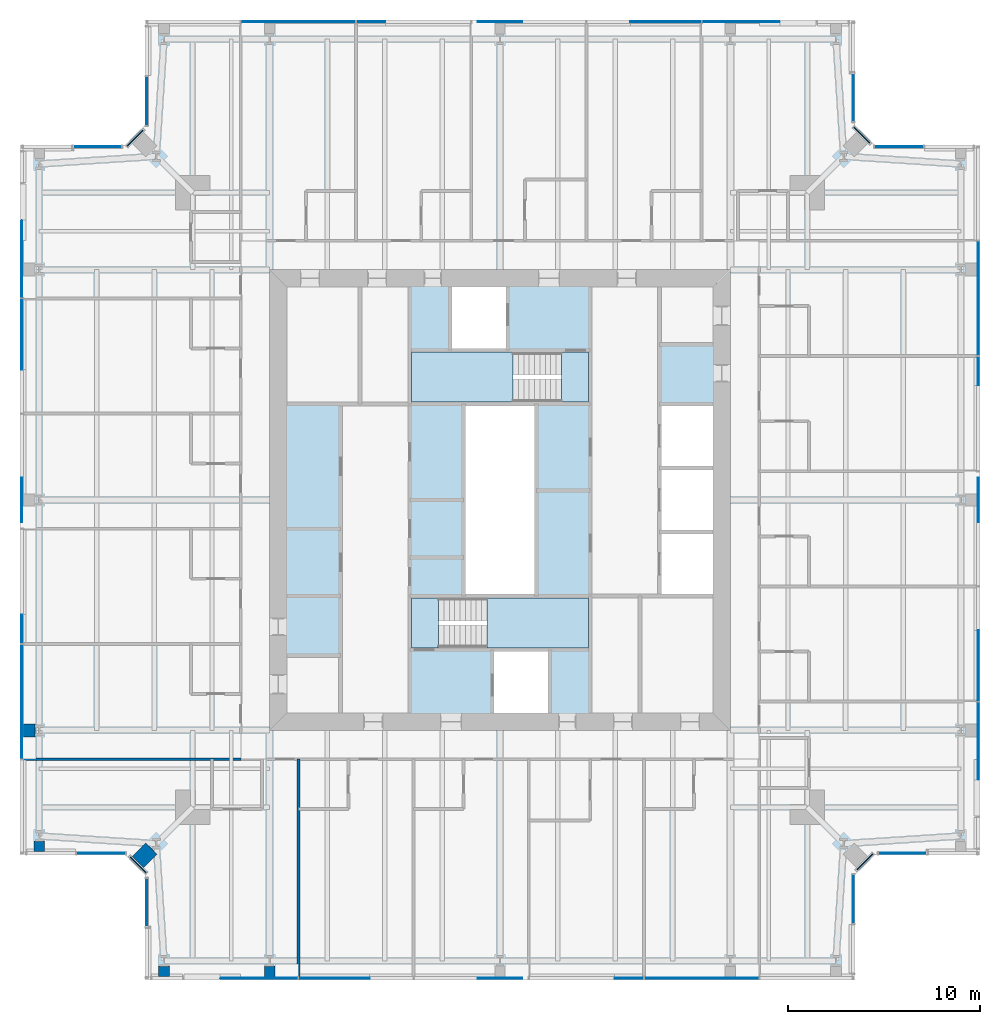
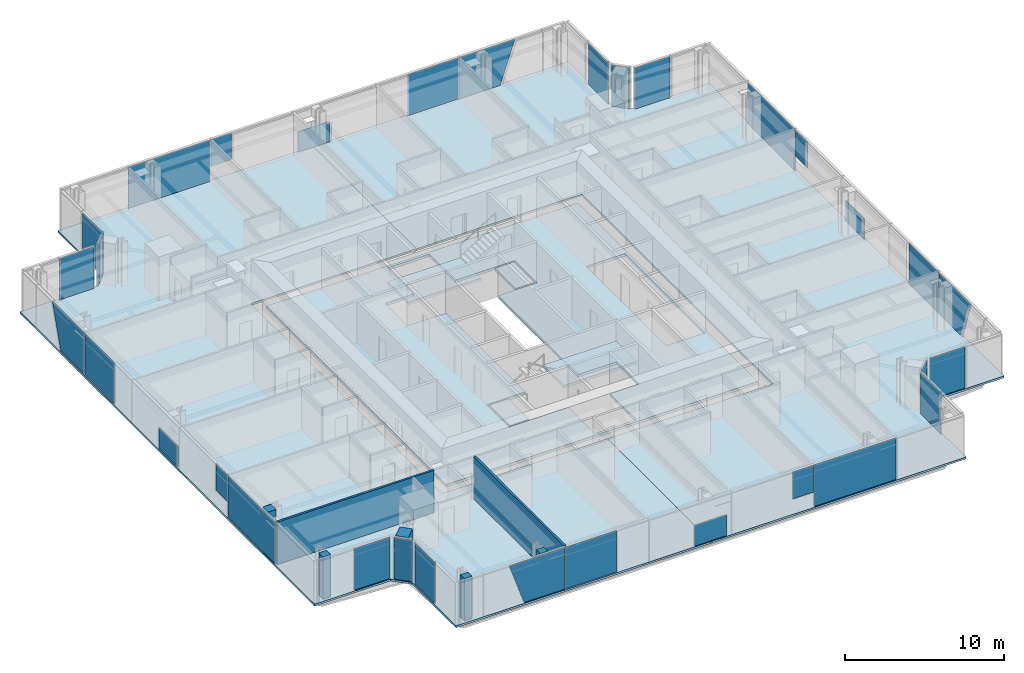
# One storey, part 10 of 20: 32 plates, 7 slabs, 7 walls, 18 elements without a shape of their own.
"""IFC4 building model written with IfcOpenShell, lengths in metres."""

from ifc_helpers import new_model, si_unit, direction, frame, frame_2d, origin, origin_2d, place, context, subcontext, project, spatial, polyline, rectangle, outline, extrude, material, layer, layer_set, type_object, element, aggregate, save


model = new_model("IFC4")

# Units and contexts
model_context = context("Model", 3, precision=1e-05, world=origin(), true_north=direction((0.0, 1.0)))
body_context = subcontext(model_context, "Body", "Model", "MODEL_VIEW")
ifc_project = project(units=[si_unit("LENGTHUNIT", "METRE"), si_unit("AREAUNIT", "SQUARE_METRE"), si_unit("VOLUMEUNIT", "CUBIC_METRE"), si_unit("PLANEANGLEUNIT", "RADIAN"), si_unit("MASSUNIT", "GRAM", prefix="KILO")], contexts=[model_context])

# Site, building, storey
site_placement = place(None, origin())
site = spatial("IfcSite", under=ifc_project, at=site_placement, CompositionType="ELEMENT")
building_placement = place(site_placement, origin())
building = spatial("IfcBuilding", under=site, at=building_placement, Name="Fenwick Lantern Interchange", CompositionType="ELEMENT")
storey_placement = place(building_placement, frame((0.0, 0.0, 249.199951171875)))
storey = spatial("IfcBuildingStorey", under=building, at=storey_placement, Name="L58", CompositionType="ELEMENT", Elevation=249.199951171875)

# Slabs
ifc_material_1 = material(Name="Concrete f'c 35 MPa", Category="concrete")
ifc_layer_1 = layer(ifc_material_1, 0.199951171875)
ifc_layer_set_1 = layer_set([ifc_layer_1], Name="CORE FLOOR SLAB 200")
slab_type_1 = type_object("IfcSlabType", Name="CORE FLOOR SLAB 200", PredefinedType="FLOOR", material=ifc_layer_set_1)
slab_1_placement = place(storey_placement, frame((0.0, 0.0, -0.199951171875)))
element("IfcSlab", 1, at=slab_1_placement, inside=storey, type_object=slab_type_1, Name="L58/SLAB/CORE", PredefinedType="FLOOR", context=body_context, shape_type="SweptSolid", body=[
    extrude(outline(polyline([(13.699951171875, 36.300048828125), (36.300048828125, 36.300048828125), (36.300048828125, 13.699951171875), (13.699951171875, 13.699951171875), (13.699951171875, 36.300048828125)]), holes=[polyline([(24.60009765625, 13.89990234375), (27.60009765625, 13.89990234375), (27.60009765625, 17.199951171875), (29.699951171875, 17.199951171875), (29.699951171875, 20.0), (26.89990234375, 20.0), (26.89990234375, 30.0), (29.699951171875, 30.0), (29.699951171875, 32.800048828125), (25.39990234375, 32.800048828125), (25.39990234375, 36.10009765625), (22.39990234375, 36.10009765625), (22.39990234375, 32.800048828125), (20.300048828125, 32.800048828125), (20.300048828125, 30.0), (23.10009765625, 30.0), (23.10009765625, 20.0), (20.300048828125, 20.0), (20.300048828125, 17.199951171875), (24.60009765625, 17.199951171875), (24.60009765625, 13.89990234375)]), polyline([(33.300048828125, 20.0), (36.10009765625, 20.0), (36.10009765625, 23.333251953125), (36.10009765625, 26.666748046875), (36.10009765625, 30.0), (33.300048828125, 30.0), (33.300048828125, 26.666748046875), (33.300048828125, 23.333251953125), (33.300048828125, 20.0)])]), origin(), (0.0, 0.0, 1.0), 0.199951171875),
])
ifc_material_2 = material(Name="Concrete f'c 35 MPa", Category="concrete")
ifc_layer_2 = layer(ifc_material_2, 0.14990234375)
ifc_layer_set_2 = layer_set([ifc_layer_2], Name="Concrete f'c 35 MPa")
slab_type_2 = type_object("IfcSlabType", Name="FLOOR SLAB 150", PredefinedType="FLOOR", material=ifc_layer_set_2)
slab_2_placement = place(storey_placement, frame((0.0, 0.0, -0.14990234375)))
element("IfcSlab", 2, at=slab_2_placement, inside=storey, type_object=slab_type_2, Name="L58/SLAB/FW", PredefinedType="FLOOR", context=body_context, shape_type="SweptSolid", body=[
    extrude(outline(polyline([(6.5, 0.0), (6.5, 5.5), (5.5, 6.5), (0.0, 6.5), (0.0, 43.5), (5.5, 43.5), (6.5, 44.5), (6.5, 50.0), (25.0, 50.0), (25.0, 37.0), (13.0, 37.0), (13.0, 13.0), (25.0, 13.0), (25.0, 0.0), (6.5, 0.0)])), origin(), (0.0, 0.0, 1.0), 0.14990234375),
])
slab_3_placement = place(storey_placement, frame((0.0, 0.0, -0.14990234375)))
element("IfcSlab", 3, at=slab_3_placement, inside=storey, type_object=slab_type_2, Name="L58/SLAB/FE", PredefinedType="FLOOR", context=body_context, shape_type="SweptSolid", body=[
    extrude(outline(polyline([(43.5, 50.0), (43.5, 44.5), (44.5, 43.5), (50.0, 43.5), (50.0, 6.5), (44.5, 6.5), (43.5, 5.5), (43.5, 0.0), (25.0, 0.0), (25.0, 13.0), (37.0, 13.0), (37.0, 37.0), (25.0, 37.0), (25.0, 50.0), (43.5, 50.0)])), origin(), (0.0, 0.0, 1.0), 0.14990234375),
])

# Curtain wall, plates
ifc_material_3 = material(Name="Aluminium curtain wall frame", Category="aluminium")
curtain_wall_type = type_object("IfcCurtainWallType", Name="HOTEL CURTAIN WALL", PredefinedType="USERDEFINED", material=ifc_material_3)
curtain_wall_1_placement = place(storey_placement, origin())
curtain_wall_1 = element("IfcCurtainWall", 4, at=curtain_wall_1_placement, inside=storey, type_object=curtain_wall_type, Name="Hotel curtain wall 01", ObjectType="HOTEL CURTAIN WALL", PredefinedType="USERDEFINED")
ifc_material_4 = material(Name="Vision glass, acoustic laminated double glazed unit", Category="glass")
ifc_layer_3 = layer(ifc_material_4, 0.052001953125)
ifc_layer_set_3 = layer_set([ifc_layer_3], Name="HOTEL CURTAIN WALL PANEL 52")
plate_type = type_object("IfcPlateType", Name="HOTEL CURTAIN WALL PANEL 52", PredefinedType="CURTAIN_PANEL", material=ifc_layer_set_3)
plate_1_placement = place(storey_placement, frame((6.60009765625, 0.10009765625, 0.0), z_axis=(0.0, 0.0, 1.0), x_axis=(1.0, 0.0, 0.0)))
plate_1 = element("IfcPlate", 5, at=plate_1_placement, type_object=plate_type, Name="L58/CW/01/P01a", PredefinedType="CURTAIN_PANEL", context=body_context, shape_type="SweptSolid", body=[
    extrude(outline(polyline([(4.890869140625, 0.0), (7.8701171875, 0.0), (7.8701171875, 3.150146484375), (3.827392578125, 3.150146484375), (4.890869140625, 0.0)])), frame((0.0, 0.02587890625, 0.0), z_axis=(0.0, -1.0, 0.0), x_axis=(1.0, 0.0, 0.0)), (0.0, 0.0, 1.0), 0.052001953125),
])
plate_2_placement = place(storey_placement, frame((6.60009765625, 0.10009765625, 0.00439453125), z_axis=(0.0, 0.0, 1.0), x_axis=(1.0, 0.0, 0.0)))
plate_2 = element("IfcPlate", 6, at=plate_2_placement, type_object=plate_type, Name="L58/CW/01/P02a", PredefinedType="CURTAIN_PANEL", context=body_context, shape_type="SweptSolid", body=[
    extrude(outline(polyline([(7.929931640625, 0.0), (11.60498046875, 0.0), (11.60498046875, 3.145751953125), (7.929931640625, 3.145751953125), (7.929931640625, 0.0)])), frame((0.0, 0.02587890625, 0.0), z_axis=(0.0, -1.0, 0.0), x_axis=(1.0, 0.0, 0.0)), (0.0, 0.0, 1.0), 0.052001953125),
])
plate_3_placement = place(storey_placement, frame((6.60009765625, 0.10009765625, 0.0), z_axis=(0.0, 0.0, 1.0), x_axis=(1.0, 0.0, 0.0)))
plate_3 = element("IfcPlate", 7, at=plate_3_placement, type_object=plate_type, Name="L58/CW/01/P03a", PredefinedType="CURTAIN_PANEL", context=body_context, shape_type="SweptSolid", body=[
    extrude(outline(polyline([(17.238037109375, 0.0), (19.56298828125, 0.0), (19.56298828125, 1.580078125), (17.238037109375, 1.580078125), (17.238037109375, 0.0)])), frame((0.0, 0.02587890625, 0.0), z_axis=(0.0, -1.0, 0.0), x_axis=(1.0, 0.0, 0.0)), (0.0, 0.0, 1.0), 0.052001953125),
])
plate_4_placement = place(storey_placement, frame((6.60009765625, 0.10009765625, 1.120361328125), z_axis=(0.0, 0.0, 1.0), x_axis=(1.0, 0.0, 0.0)))
plate_4 = element("IfcPlate", 8, at=plate_4_placement, type_object=plate_type, Name="L58/CW/01/P04a", PredefinedType="CURTAIN_PANEL", context=body_context, shape_type="SweptSolid", body=[
    extrude(outline(polyline([(24.372802734375, 0.0), (25.8701171875, 0.0), (25.8701171875, 2.02978515625), (24.372802734375, 2.02978515625), (24.372802734375, 0.0)])), frame((0.0, 0.02587890625, 0.0), z_axis=(0.0, -1.0, 0.0), x_axis=(1.0, 0.0, 0.0)), (0.0, 0.0, 1.0), 0.052001953125),
])
plate_5_placement = place(storey_placement, frame((35.5, 0.10009765625, 0.0), z_axis=(0.0, 0.0, 1.0), x_axis=(1.0, 0.0, 0.0)))
plate_5 = element("IfcPlate", 9, at=plate_5_placement, type_object=plate_type, Name="L58/CW/01/P05", PredefinedType="CURTAIN_PANEL", context=body_context, shape_type="SweptSolid", body=[
    extrude(rectangle(XDim=5.93994140625, YDim=0.052001953125, at=origin_2d()), origin(), (0.0, 0.0, 1.0), 3.14990234375),
])
aggregate(curtain_wall_1, [plate_1, plate_2, plate_3, plate_4, plate_5])

# Curtain wall, plate
curtain_wall_2_placement = place(storey_placement, origin())
curtain_wall_2 = element("IfcCurtainWall", 10, at=curtain_wall_2_placement, inside=storey, type_object=curtain_wall_type, Name="Hotel curtain wall 02", ObjectType="HOTEL CURTAIN WALL", PredefinedType="USERDEFINED")
plate_6_placement = place(storey_placement, frame((43.39990234375, 4.216064453125, 0.0), z_axis=(0.0, 0.0, 1.0), x_axis=(0.0, 1.0, 0.0)))
plate_6 = element("IfcPlate", 11, at=plate_6_placement, type_object=plate_type, Name="L58/CW/02/P01", PredefinedType="CURTAIN_PANEL", context=body_context, shape_type="SweptSolid", body=[
    extrude(rectangle(XDim=2.53076171875, YDim=0.052001953125, at=origin_2d()), origin(), (0.0, 0.0, 1.0), 3.14990234375),
])
aggregate(curtain_wall_2, [plate_6])

curtain_wall_3_placement = place(storey_placement, origin())
curtain_wall_3 = element("IfcCurtainWall", 12, at=curtain_wall_3_placement, inside=storey, type_object=curtain_wall_type, Name="Hotel curtain wall 03", ObjectType="HOTEL CURTAIN WALL", PredefinedType="USERDEFINED")
plate_7_placement = place(storey_placement, frame((44.0, 6.141357421875, 0.0), z_axis=(0.0, 0.0, 1.0), x_axis=(0.707106781187, 0.707106781187, 0.0)))
plate_7 = element("IfcPlate", 13, at=plate_7_placement, type_object=plate_type, Name="L58/CW/03/P00", PredefinedType="CURTAIN_PANEL", context=body_context, shape_type="SweptSolid", body=[
    extrude(rectangle(XDim=1.177001953125, YDim=0.052001953125, at=origin_2d()), origin(), (0.0, 0.0, 1.0), 3.14990234375),
])
aggregate(curtain_wall_3, [plate_7])

curtain_wall_4_placement = place(storey_placement, origin())
curtain_wall_4 = element("IfcCurtainWall", 14, at=curtain_wall_4_placement, inside=storey, type_object=curtain_wall_type, Name="Hotel curtain wall 04", ObjectType="HOTEL CURTAIN WALL", PredefinedType="USERDEFINED")
plate_8_placement = place(storey_placement, frame((44.45849609375, 6.60009765625, 0.0), z_axis=(0.0, 0.0, 1.0), x_axis=(1.0, 0.0, 0.0)))
plate_8 = element("IfcPlate", 15, at=plate_8_placement, type_object=plate_type, Name="L58/CW/04/P00a", PredefinedType="CURTAIN_PANEL", context=body_context, shape_type="SweptSolid", body=[
    extrude(outline(polyline([(0.260009765625, 0.0), (2.741455078125, 0.0), (2.741455078125, 3.150146484375), (0.260009765625, 3.150146484375), (0.260009765625, 0.0)])), frame((0.0, 0.02587890625, 0.0), z_axis=(0.0, -1.0, 0.0), x_axis=(1.0, 0.0, 0.0)), (0.0, 0.0, 1.0), 0.052001953125),
])
aggregate(curtain_wall_4, [plate_8])

# Curtain wall, plates
curtain_wall_5_placement = place(storey_placement, origin())
curtain_wall_5 = element("IfcCurtainWall", 16, at=curtain_wall_5_placement, inside=storey, type_object=curtain_wall_type, Name="Hotel curtain wall 05", ObjectType="HOTEL CURTAIN WALL", PredefinedType="USERDEFINED")
plate_9_placement = place(storey_placement, frame((49.89990234375, 6.60009765625, 0.0), z_axis=(0.0, 0.0, 1.0), x_axis=(0.0, 1.0, 0.0)))
plate_9 = element("IfcPlate", 17, at=plate_9_placement, type_object=plate_type, Name="L58/CW/05/P01a", PredefinedType="CURTAIN_PANEL", context=body_context, shape_type="SweptSolid", body=[
    extrude(outline(polyline([(4.890869140625, 0.0), (7.8701171875, 0.0), (7.8701171875, 3.150146484375), (3.827392578125, 3.150146484375), (4.890869140625, 0.0)])), frame((0.0, 0.02587890625, 0.0), z_axis=(0.0, -1.0, 0.0), x_axis=(1.0, 0.0, 0.0)), (0.0, 0.0, 1.0), 0.052001953125),
])
plate_10_placement = place(storey_placement, frame((49.89990234375, 6.60009765625, 0.00439453125), z_axis=(0.0, 0.0, 1.0), x_axis=(0.0, 1.0, 0.0)))
plate_10 = element("IfcPlate", 18, at=plate_10_placement, type_object=plate_type, Name="L58/CW/05/P02a", PredefinedType="CURTAIN_PANEL", context=body_context, shape_type="SweptSolid", body=[
    extrude(outline(polyline([(7.929931640625, 0.0), (11.60498046875, 0.0), (11.60498046875, 3.145751953125), (7.929931640625, 3.145751953125), (7.929931640625, 0.0)])), frame((0.0, 0.02587890625, 0.0), z_axis=(0.0, -1.0, 0.0), x_axis=(1.0, 0.0, 0.0)), (0.0, 0.0, 1.0), 0.052001953125),
])
plate_11_placement = place(storey_placement, frame((49.89990234375, 6.60009765625, 0.0), z_axis=(0.0, 0.0, 1.0), x_axis=(0.0, 1.0, 0.0)))
plate_11 = element("IfcPlate", 19, at=plate_11_placement, type_object=plate_type, Name="L58/CW/05/P03a", PredefinedType="CURTAIN_PANEL", context=body_context, shape_type="SweptSolid", body=[
    extrude(outline(polyline([(17.238037109375, 0.0), (19.56298828125, 0.0), (19.56298828125, 1.580078125), (17.238037109375, 1.580078125), (17.238037109375, 0.0)])), frame((0.0, 0.02587890625, 0.0), z_axis=(0.0, -1.0, 0.0), x_axis=(1.0, 0.0, 0.0)), (0.0, 0.0, 1.0), 0.052001953125),
])
plate_12_placement = place(storey_placement, frame((49.89990234375, 6.60009765625, 1.120361328125), z_axis=(0.0, 0.0, 1.0), x_axis=(0.0, 1.0, 0.0)))
plate_12 = element("IfcPlate", 20, at=plate_12_placement, type_object=plate_type, Name="L58/CW/05/P04a", PredefinedType="CURTAIN_PANEL", context=body_context, shape_type="SweptSolid", body=[
    extrude(outline(polyline([(24.372802734375, 0.0), (25.8701171875, 0.0), (25.8701171875, 2.02978515625), (24.372802734375, 2.02978515625), (24.372802734375, 0.0)])), frame((0.0, 0.02587890625, 0.0), z_axis=(0.0, -1.0, 0.0), x_axis=(1.0, 0.0, 0.0)), (0.0, 0.0, 1.0), 0.052001953125),
])
plate_13_placement = place(storey_placement, frame((49.89990234375, 35.5, 0.0), z_axis=(0.0, 0.0, 1.0), x_axis=(0.0, 1.0, 0.0)))
plate_13 = element("IfcPlate", 21, at=plate_13_placement, type_object=plate_type, Name="L58/CW/05/P05", PredefinedType="CURTAIN_PANEL", context=body_context, shape_type="SweptSolid", body=[
    extrude(rectangle(XDim=5.93994140625, YDim=0.052001953125, at=origin_2d()), origin(), (0.0, 0.0, 1.0), 3.14990234375),
])
aggregate(curtain_wall_5, [plate_9, plate_10, plate_11, plate_12, plate_13])

# Curtain wall, plate
curtain_wall_6_placement = place(storey_placement, origin())
curtain_wall_6 = element("IfcCurtainWall", 22, at=curtain_wall_6_placement, inside=storey, type_object=curtain_wall_type, Name="Hotel curtain wall 06", ObjectType="HOTEL CURTAIN WALL", PredefinedType="USERDEFINED")
plate_14_placement = place(storey_placement, frame((45.783935546875, 43.39990234375, 0.0), z_axis=(0.0, 0.0, 1.0), x_axis=(-1.0, 0.0, 0.0)))
plate_14 = element("IfcPlate", 23, at=plate_14_placement, type_object=plate_type, Name="L58/CW/06/P01", PredefinedType="CURTAIN_PANEL", context=body_context, shape_type="SweptSolid", body=[
    extrude(rectangle(XDim=2.53076171875, YDim=0.052001953125, at=origin_2d()), origin(), (0.0, 0.0, 1.0), 3.14990234375),
])
aggregate(curtain_wall_6, [plate_14])

curtain_wall_7_placement = place(storey_placement, origin())
curtain_wall_7 = element("IfcCurtainWall", 24, at=curtain_wall_7_placement, inside=storey, type_object=curtain_wall_type, Name="Hotel curtain wall 07", ObjectType="HOTEL CURTAIN WALL", PredefinedType="USERDEFINED")
plate_15_placement = place(storey_placement, frame((43.858642578125, 44.0, 0.0), z_axis=(0.0, 0.0, 1.0), x_axis=(-0.707106781187, 0.707106781187, 0.0)))
plate_15 = element("IfcPlate", 25, at=plate_15_placement, type_object=plate_type, Name="L58/CW/07/P00", PredefinedType="CURTAIN_PANEL", context=body_context, shape_type="SweptSolid", body=[
    extrude(rectangle(XDim=1.177001953125, YDim=0.052001953125, at=origin_2d()), origin(), (0.0, 0.0, 1.0), 3.14990234375),
])
aggregate(curtain_wall_7, [plate_15])

curtain_wall_8_placement = place(storey_placement, origin())
curtain_wall_8 = element("IfcCurtainWall", 26, at=curtain_wall_8_placement, inside=storey, type_object=curtain_wall_type, Name="Hotel curtain wall 08", ObjectType="HOTEL CURTAIN WALL", PredefinedType="USERDEFINED")
plate_16_placement = place(storey_placement, frame((43.39990234375, 44.45849609375, 0.0), z_axis=(0.0, 0.0, 1.0), x_axis=(0.0, 1.0, 0.0)))
plate_16 = element("IfcPlate", 27, at=plate_16_placement, type_object=plate_type, Name="L58/CW/08/P00a", PredefinedType="CURTAIN_PANEL", context=body_context, shape_type="SweptSolid", body=[
    extrude(outline(polyline([(0.260009765625, 0.0), (2.741455078125, 0.0), (2.741455078125, 3.150146484375), (0.260009765625, 3.150146484375), (0.260009765625, 0.0)])), frame((0.0, 0.02587890625, 0.0), z_axis=(0.0, -1.0, 0.0), x_axis=(1.0, 0.0, 0.0)), (0.0, 0.0, 1.0), 0.052001953125),
])
aggregate(curtain_wall_8, [plate_16])

# Curtain wall, plates
curtain_wall_9_placement = place(storey_placement, origin())
curtain_wall_9 = element("IfcCurtainWall", 28, at=curtain_wall_9_placement, inside=storey, type_object=curtain_wall_type, Name="Hotel curtain wall 09", ObjectType="HOTEL CURTAIN WALL", PredefinedType="USERDEFINED")
plate_17_placement = place(storey_placement, frame((43.39990234375, 49.89990234375, 0.0), z_axis=(0.0, 0.0, 1.0), x_axis=(-1.0, 0.0, 0.0)))
plate_17 = element("IfcPlate", 29, at=plate_17_placement, type_object=plate_type, Name="L58/CW/09/P01a", PredefinedType="CURTAIN_PANEL", context=body_context, shape_type="SweptSolid", body=[
    extrude(outline(polyline([(4.890869140625, 0.0), (7.8701171875, 0.0), (7.8701171875, 3.150146484375), (3.827392578125, 3.150146484375), (4.890869140625, 0.0)])), frame((0.0, 0.02587890625, 0.0), z_axis=(0.0, -1.0, 0.0), x_axis=(1.0, 0.0, 0.0)), (0.0, 0.0, 1.0), 0.052001953125),
])
plate_18_placement = place(storey_placement, frame((43.39990234375, 49.89990234375, 0.00439453125), z_axis=(0.0, 0.0, 1.0), x_axis=(-1.0, 0.0, 0.0)))
plate_18 = element("IfcPlate", 30, at=plate_18_placement, type_object=plate_type, Name="L58/CW/09/P02a", PredefinedType="CURTAIN_PANEL", context=body_context, shape_type="SweptSolid", body=[
    extrude(outline(polyline([(7.929931640625, 0.0), (11.60498046875, 0.0), (11.60498046875, 3.145751953125), (7.929931640625, 3.145751953125), (7.929931640625, 0.0)])), frame((0.0, 0.02587890625, 0.0), z_axis=(0.0, -1.0, 0.0), x_axis=(1.0, 0.0, 0.0)), (0.0, 0.0, 1.0), 0.052001953125),
])
plate_19_placement = place(storey_placement, frame((43.39990234375, 49.89990234375, 0.0), z_axis=(0.0, 0.0, 1.0), x_axis=(-1.0, 0.0, 0.0)))
plate_19 = element("IfcPlate", 31, at=plate_19_placement, type_object=plate_type, Name="L58/CW/09/P03a", PredefinedType="CURTAIN_PANEL", context=body_context, shape_type="SweptSolid", body=[
    extrude(outline(polyline([(17.238037109375, 0.0), (19.56298828125, 0.0), (19.56298828125, 1.580078125), (17.238037109375, 1.580078125), (17.238037109375, 0.0)])), frame((0.0, 0.02587890625, 0.0), z_axis=(0.0, -1.0, 0.0), x_axis=(1.0, 0.0, 0.0)), (0.0, 0.0, 1.0), 0.052001953125),
])
plate_20_placement = place(storey_placement, frame((43.39990234375, 49.89990234375, 1.120361328125), z_axis=(0.0, 0.0, 1.0), x_axis=(-1.0, 0.0, 0.0)))
plate_20 = element("IfcPlate", 32, at=plate_20_placement, type_object=plate_type, Name="L58/CW/09/P04a", PredefinedType="CURTAIN_PANEL", context=body_context, shape_type="SweptSolid", body=[
    extrude(outline(polyline([(24.372802734375, 0.0), (25.8701171875, 0.0), (25.8701171875, 2.02978515625), (24.372802734375, 2.02978515625), (24.372802734375, 0.0)])), frame((0.0, 0.02587890625, 0.0), z_axis=(0.0, -1.0, 0.0), x_axis=(1.0, 0.0, 0.0)), (0.0, 0.0, 1.0), 0.052001953125),
])
plate_21_placement = place(storey_placement, frame((14.5, 49.89990234375, 0.0), z_axis=(0.0, 0.0, 1.0), x_axis=(-1.0, 0.0, 0.0)))
plate_21 = element("IfcPlate", 33, at=plate_21_placement, type_object=plate_type, Name="L58/CW/09/P05", PredefinedType="CURTAIN_PANEL", context=body_context, shape_type="SweptSolid", body=[
    extrude(rectangle(XDim=5.93994140625, YDim=0.052001953125, at=origin_2d()), origin(), (0.0, 0.0, 1.0), 3.14990234375),
])
aggregate(curtain_wall_9, [plate_17, plate_18, plate_19, plate_20, plate_21])

# Curtain wall, plate
curtain_wall_10_placement = place(storey_placement, origin())
curtain_wall_10 = element("IfcCurtainWall", 34, at=curtain_wall_10_placement, inside=storey, type_object=curtain_wall_type, Name="Hotel curtain wall 10", ObjectType="HOTEL CURTAIN WALL", PredefinedType="USERDEFINED")
plate_22_placement = place(storey_placement, frame((6.60009765625, 45.783935546875, 0.0), z_axis=(0.0, 0.0, 1.0), x_axis=(0.0, -1.0, 0.0)))
plate_22 = element("IfcPlate", 35, at=plate_22_placement, type_object=plate_type, Name="L58/CW/10/P01", PredefinedType="CURTAIN_PANEL", context=body_context, shape_type="SweptSolid", body=[
    extrude(rectangle(XDim=2.53076171875, YDim=0.052001953125, at=origin_2d()), origin(), (0.0, 0.0, 1.0), 3.14990234375),
])
aggregate(curtain_wall_10, [plate_22])

curtain_wall_11_placement = place(storey_placement, origin())
curtain_wall_11 = element("IfcCurtainWall", 36, at=curtain_wall_11_placement, inside=storey, type_object=curtain_wall_type, Name="Hotel curtain wall 11", ObjectType="HOTEL CURTAIN WALL", PredefinedType="USERDEFINED")
plate_23_placement = place(storey_placement, frame((6.0, 43.858642578125, 0.0), z_axis=(0.0, 0.0, 1.0), x_axis=(-0.707106781187, -0.707106781187, 0.0)))
plate_23 = element("IfcPlate", 37, at=plate_23_placement, type_object=plate_type, Name="L58/CW/11/P00", PredefinedType="CURTAIN_PANEL", context=body_context, shape_type="SweptSolid", body=[
    extrude(rectangle(XDim=1.177001953125, YDim=0.052001953125, at=origin_2d()), origin(), (0.0, 0.0, 1.0), 3.14990234375),
])
aggregate(curtain_wall_11, [plate_23])

curtain_wall_12_placement = place(storey_placement, origin())
curtain_wall_12 = element("IfcCurtainWall", 38, at=curtain_wall_12_placement, inside=storey, type_object=curtain_wall_type, Name="Hotel curtain wall 12", ObjectType="HOTEL CURTAIN WALL", PredefinedType="USERDEFINED")
plate_24_placement = place(storey_placement, frame((5.54150390625, 43.39990234375, 0.0), z_axis=(0.0, 0.0, 1.0), x_axis=(-1.0, 0.0, 0.0)))
plate_24 = element("IfcPlate", 39, at=plate_24_placement, type_object=plate_type, Name="L58/CW/12/P00a", PredefinedType="CURTAIN_PANEL", context=body_context, shape_type="SweptSolid", body=[
    extrude(outline(polyline([(0.260009765625, 0.0), (2.741455078125, 0.0), (2.741455078125, 3.150146484375), (0.260009765625, 3.150146484375), (0.260009765625, 0.0)])), frame((0.0, 0.02587890625, 0.0), z_axis=(0.0, -1.0, 0.0), x_axis=(1.0, 0.0, 0.0)), (0.0, 0.0, 1.0), 0.052001953125),
])
aggregate(curtain_wall_12, [plate_24])

# Curtain wall, plates
curtain_wall_13_placement = place(storey_placement, origin())
curtain_wall_13 = element("IfcCurtainWall", 40, at=curtain_wall_13_placement, inside=storey, type_object=curtain_wall_type, Name="Hotel curtain wall 13", ObjectType="HOTEL CURTAIN WALL", PredefinedType="USERDEFINED")
plate_25_placement = place(storey_placement, frame((0.10009765625, 43.39990234375, 0.0), z_axis=(0.0, 0.0, 1.0), x_axis=(0.0, -1.0, 0.0)))
plate_25 = element("IfcPlate", 41, at=plate_25_placement, type_object=plate_type, Name="L58/CW/13/P01a", PredefinedType="CURTAIN_PANEL", context=body_context, shape_type="SweptSolid", body=[
    extrude(outline(polyline([(4.890869140625, 0.0), (7.8701171875, 0.0), (7.8701171875, 3.150146484375), (3.827392578125, 3.150146484375), (4.890869140625, 0.0)])), frame((0.0, 0.02587890625, 0.0), z_axis=(0.0, -1.0, 0.0), x_axis=(1.0, 0.0, 0.0)), (0.0, 0.0, 1.0), 0.052001953125),
])
plate_26_placement = place(storey_placement, frame((0.10009765625, 43.39990234375, 0.00439453125), z_axis=(0.0, 0.0, 1.0), x_axis=(0.0, -1.0, 0.0)))
plate_26 = element("IfcPlate", 42, at=plate_26_placement, type_object=plate_type, Name="L58/CW/13/P02a", PredefinedType="CURTAIN_PANEL", context=body_context, shape_type="SweptSolid", body=[
    extrude(outline(polyline([(7.929931640625, 0.0), (11.60498046875, 0.0), (11.60498046875, 3.145751953125), (7.929931640625, 3.145751953125), (7.929931640625, 0.0)])), frame((0.0, 0.02587890625, 0.0), z_axis=(0.0, -1.0, 0.0), x_axis=(1.0, 0.0, 0.0)), (0.0, 0.0, 1.0), 0.052001953125),
])
plate_27_placement = place(storey_placement, frame((0.10009765625, 43.39990234375, 0.0), z_axis=(0.0, 0.0, 1.0), x_axis=(0.0, -1.0, 0.0)))
plate_27 = element("IfcPlate", 43, at=plate_27_placement, type_object=plate_type, Name="L58/CW/13/P03a", PredefinedType="CURTAIN_PANEL", context=body_context, shape_type="SweptSolid", body=[
    extrude(outline(polyline([(17.238037109375, 0.0), (19.56298828125, 0.0), (19.56298828125, 1.580078125), (17.238037109375, 1.580078125), (17.238037109375, 0.0)])), frame((0.0, 0.02587890625, 0.0), z_axis=(0.0, -1.0, 0.0), x_axis=(1.0, 0.0, 0.0)), (0.0, 0.0, 1.0), 0.052001953125),
])
plate_28_placement = place(storey_placement, frame((0.10009765625, 43.39990234375, 1.120361328125), z_axis=(0.0, 0.0, 1.0), x_axis=(0.0, -1.0, 0.0)))
plate_28 = element("IfcPlate", 44, at=plate_28_placement, type_object=plate_type, Name="L58/CW/13/P04a", PredefinedType="CURTAIN_PANEL", context=body_context, shape_type="SweptSolid", body=[
    extrude(outline(polyline([(24.372802734375, 0.0), (25.8701171875, 0.0), (25.8701171875, 2.02978515625), (24.372802734375, 2.02978515625), (24.372802734375, 0.0)])), frame((0.0, 0.02587890625, 0.0), z_axis=(0.0, -1.0, 0.0), x_axis=(1.0, 0.0, 0.0)), (0.0, 0.0, 1.0), 0.052001953125),
])
plate_29_placement = place(storey_placement, frame((0.10009765625, 14.5, 0.0), z_axis=(0.0, 0.0, 1.0), x_axis=(0.0, -1.0, 0.0)))
plate_29 = element("IfcPlate", 45, at=plate_29_placement, type_object=plate_type, Name="L58/CW/13/P05", PredefinedType="CURTAIN_PANEL", context=body_context, shape_type="SweptSolid", body=[
    extrude(rectangle(XDim=5.93994140625, YDim=0.052001953125, at=origin_2d()), origin(), (0.0, 0.0, 1.0), 3.14990234375),
])
aggregate(curtain_wall_13, [plate_25, plate_26, plate_27, plate_28, plate_29])

# Curtain wall, plate
curtain_wall_14_placement = place(storey_placement, origin())
curtain_wall_14 = element("IfcCurtainWall", 46, at=curtain_wall_14_placement, inside=storey, type_object=curtain_wall_type, Name="Hotel curtain wall 14", ObjectType="HOTEL CURTAIN WALL", PredefinedType="USERDEFINED")
plate_30_placement = place(storey_placement, frame((4.216064453125, 6.60009765625, 0.0), z_axis=(0.0, 0.0, 1.0), x_axis=(1.0, 0.0, 0.0)))
plate_30 = element("IfcPlate", 47, at=plate_30_placement, type_object=plate_type, Name="L58/CW/14/P01", PredefinedType="CURTAIN_PANEL", context=body_context, shape_type="SweptSolid", body=[
    extrude(rectangle(XDim=2.53076171875, YDim=0.052001953125, at=origin_2d()), origin(), (0.0, 0.0, 1.0), 3.14990234375),
])
aggregate(curtain_wall_14, [plate_30])

curtain_wall_15_placement = place(storey_placement, origin())
curtain_wall_15 = element("IfcCurtainWall", 48, at=curtain_wall_15_placement, inside=storey, type_object=curtain_wall_type, Name="Hotel curtain wall 15", ObjectType="HOTEL CURTAIN WALL", PredefinedType="USERDEFINED")
plate_31_placement = place(storey_placement, frame((6.141357421875, 6.0, 0.0), z_axis=(0.0, 0.0, 1.0), x_axis=(0.707106781187, -0.707106781187, 0.0)))
plate_31 = element("IfcPlate", 49, at=plate_31_placement, type_object=plate_type, Name="L58/CW/15/P00", PredefinedType="CURTAIN_PANEL", context=body_context, shape_type="SweptSolid", body=[
    extrude(rectangle(XDim=1.177001953125, YDim=0.052001953125, at=origin_2d()), origin(), (0.0, 0.0, 1.0), 3.14990234375),
])
aggregate(curtain_wall_15, [plate_31])

curtain_wall_16_placement = place(storey_placement, origin())
curtain_wall_16 = element("IfcCurtainWall", 50, at=curtain_wall_16_placement, inside=storey, type_object=curtain_wall_type, Name="Hotel curtain wall 16", ObjectType="HOTEL CURTAIN WALL", PredefinedType="USERDEFINED")
plate_32_placement = place(storey_placement, frame((6.60009765625, 5.54150390625, 0.0), z_axis=(0.0, 0.0, 1.0), x_axis=(0.0, -1.0, 0.0)))
plate_32 = element("IfcPlate", 51, at=plate_32_placement, type_object=plate_type, Name="L58/CW/16/P00a", PredefinedType="CURTAIN_PANEL", context=body_context, shape_type="SweptSolid", body=[
    extrude(outline(polyline([(0.260009765625, 0.0), (2.741455078125, 0.0), (2.741455078125, 3.150146484375), (0.260009765625, 3.150146484375), (0.260009765625, 0.0)])), frame((0.0, 0.02587890625, 0.0), z_axis=(0.0, -1.0, 0.0), x_axis=(1.0, 0.0, 0.0)), (0.0, 0.0, 1.0), 0.052001953125),
])
aggregate(curtain_wall_16, [plate_32])

# Stair, slabs
ifc_material_5 = material(Name="Precast concrete f'c 35 MPa", Category="concrete")
stair_type = type_object("IfcStairType", Name="EXIT STAIR 1200", PredefinedType="HALF_TURN_STAIR", material=ifc_material_5)
stair_1_placement = place(storey_placement, origin())
stair_1 = element("IfcStair", 52, at=stair_1_placement, inside=storey, type_object=stair_type, Name="Exit stair ST1", PredefinedType="HALF_TURN_STAIR")
ifc_layer_4 = layer(ifc_material_1, 0.199951171875)
ifc_layer_set_4 = layer_set([ifc_layer_4], Name="STAIR LANDING 200")
slab_type_3 = type_object("IfcSlabType", Name="STAIR LANDING 200", PredefinedType="LANDING", material=ifc_layer_set_4)
slab_4_placement = place(storey_placement, frame((0.0, 0.0, 1.5)))
slab_4 = element("IfcSlab", 53, at=slab_4_placement, type_object=slab_type_3, Name="ST1 landing 1", PredefinedType="LANDING", context=body_context, shape_type="SweptSolid", body=[
    extrude(outline(polyline([(24.320068359375, 17.300048828125), (29.60009765625, 17.300048828125), (29.60009765625, 19.89990234375), (24.320068359375, 19.89990234375), (24.320068359375, 17.300048828125)])), origin(), (0.0, 0.0, 1.0), 0.199951171875),
])
slab_5_placement = place(storey_placement, frame((0.0, 0.0, -0.199951171875)))
slab_5 = element("IfcSlab", 54, at=slab_5_placement, type_object=slab_type_3, Name="ST1 landing 2", PredefinedType="LANDING", context=body_context, shape_type="SweptSolid", body=[
    extrude(outline(polyline([(20.39990234375, 17.300048828125), (21.800048828125, 17.300048828125), (21.800048828125, 19.89990234375), (20.39990234375, 19.89990234375), (20.39990234375, 17.300048828125)])), origin(), (0.0, 0.0, 1.0), 0.199951171875),
])
aggregate(stair_1, [slab_4, slab_5])

stair_2_placement = place(storey_placement, origin())
stair_2 = element("IfcStair", 55, at=stair_2_placement, inside=storey, type_object=stair_type, Name="Exit stair ST2", PredefinedType="HALF_TURN_STAIR")
slab_6_placement = place(storey_placement, frame((0.0, 0.0, 1.5)))
slab_6 = element("IfcSlab", 56, at=slab_6_placement, type_object=slab_type_3, Name="ST2 landing 1", PredefinedType="LANDING", context=body_context, shape_type="SweptSolid", body=[
    extrude(outline(polyline([(25.679931640625, 32.699951171875), (20.39990234375, 32.699951171875), (20.39990234375, 30.10009765625), (25.679931640625, 30.10009765625), (25.679931640625, 32.699951171875)])), origin(), (0.0, 0.0, 1.0), 0.199951171875),
])
slab_7_placement = place(storey_placement, frame((0.0, 0.0, -0.199951171875)))
slab_7 = element("IfcSlab", 57, at=slab_7_placement, type_object=slab_type_3, Name="ST2 landing 2", PredefinedType="LANDING", context=body_context, shape_type="SweptSolid", body=[
    extrude(outline(polyline([(29.60009765625, 32.699951171875), (28.199951171875, 32.699951171875), (28.199951171875, 30.10009765625), (29.60009765625, 30.10009765625), (29.60009765625, 32.699951171875)])), origin(), (0.0, 0.0, 1.0), 0.199951171875),
])
aggregate(stair_2, [slab_6, slab_7])

# Walls
ifc_material_6 = material(Name="Fire-rated gypsum board encasement on steel studs, 2 hour", Category="steel")
ifc_layer_5 = layer(ifc_material_6, 0.554931640625)
ifc_layer_set_5 = layer_set([ifc_layer_5], Name="COLUMN PIER 555")
wall_type_1 = type_object("IfcWallType", Name="COLUMN PIER 555", PredefinedType="PARTITIONING", material=ifc_layer_set_5)
for number, where, z_axis, x_axis, name in (
    (58, (7.5, 0.18994140625, 0.0), (0.0, 0.0, 1.0), (0.0, 1.0, 0.0), "L58/W/PIER/CS1"),
    (59, (13.0, 0.18994140625, 0.0), (0.0, 0.0, 1.0), (0.0, 1.0, 0.0), "L58/W/PIER/CS2"),
    (60, (1.0, 6.68994140625, 0.0), (0.0, 0.0, 1.0), (0.0, 1.0, 0.0), "L58/W/PIER/CW5"),
):
    element("IfcWall", number, at=place(storey_placement, frame(where, z_axis=z_axis, x_axis=x_axis)), inside=storey, type_object=wall_type_1, Name=name, PredefinedType="PARTITIONING", context=body_context, shape_type="SweptSolid", body=[
        extrude(rectangle(XDim=0.525634765625, YDim=0.554931640625, at=frame_2d((0.2626953125, 0.0))), origin(), (0.0, 0.0, 1.0), 3.25),
    ])
ifc_layer_6 = layer(ifc_material_6, 0.6689453125)
ifc_layer_set_6 = layer_set([ifc_layer_6], Name="COLUMN PIER 669")
wall_type_2 = type_object("IfcWallType", Name="COLUMN PIER 669", PredefinedType="PARTITIONING", material=ifc_layer_set_6)
wall_1_placement = place(storey_placement, frame((0.18994140625, 13.0, 0.0), z_axis=(0.0, 0.0, 1.0), x_axis=(1.0, 0.0, 0.0)))
element("IfcWall", 61, at=wall_1_placement, inside=storey, type_object=wall_type_2, Name="L58/W/PIER/CW4", PredefinedType="PARTITIONING", context=body_context, shape_type="SweptSolid", body=[
    extrude(rectangle(XDim=0.582763671875, YDim=0.6689453125, at=frame_2d((0.29150390625, 0.0))), origin(), (0.0, 0.0, 1.0), 3.25),
])
ifc_layer_7 = layer(ifc_material_6, 0.823974609375)
ifc_layer_set_7 = layer_set([ifc_layer_7], Name="COLUMN PIER 824")
wall_type_3 = type_object("IfcWallType", Name="COLUMN PIER 824", PredefinedType="PARTITIONING", material=ifc_layer_set_7)
wall_2_placement = place(storey_placement, frame((6.13427734375, 6.13427734375, 0.0), z_axis=(0.0, 0.0, 1.0), x_axis=(0.707106781187, 0.707106781187, 0.0)))
element("IfcWall", 62, at=wall_2_placement, inside=storey, type_object=wall_type_3, Name="L58/W/PIER/CWR", PredefinedType="PARTITIONING", context=body_context, shape_type="SweptSolid", body=[
    extrude(rectangle(XDim=1.003662109375, YDim=0.823974609375, at=frame_2d((0.501953125, 0.0))), origin(), (0.0, 0.0, 1.0), 3.25),
])
ifc_material_7 = material(Name="Gypsum board on steel studs, 1 hour acoustic", Category="steel")
ifc_layer_8 = layer(ifc_material_7, 0.14990234375)
ifc_layer_set_8 = layer_set([ifc_layer_8], Name="PARTY WALL 150")
wall_type_4 = type_object("IfcWallType", Name="PARTY WALL 150", PredefinedType="PARTITIONING", material=ifc_layer_set_8)
for number, where, z_axis, x_axis, name in (
    (63, (0.14990234375, 11.5, 0.0), (0.0, 0.0, 1.0), (1.0, 0.0, 0.0), "L58/W/HOTEL/S/SW3"),
    (64, (14.5, 0.14990234375, 0.0), (0.0, 0.0, 1.0), (0.0, 1.0, 0.0), "L58/W/HOTEL/S/U2PW"),
):
    element("IfcWall", number, at=place(storey_placement, frame(where, z_axis=z_axis, x_axis=x_axis)), inside=storey, type_object=wall_type_4, Name=name, PredefinedType="PARTITIONING", context=body_context, shape_type="SweptSolid", body=[
        extrude(rectangle(XDim=11.35009765625, YDim=0.14990234375, at=frame_2d((5.675048828125, 0.0))), origin(), (0.0, 0.0, 1.0), 3.25),
    ])

save(model, "model.ifc")
